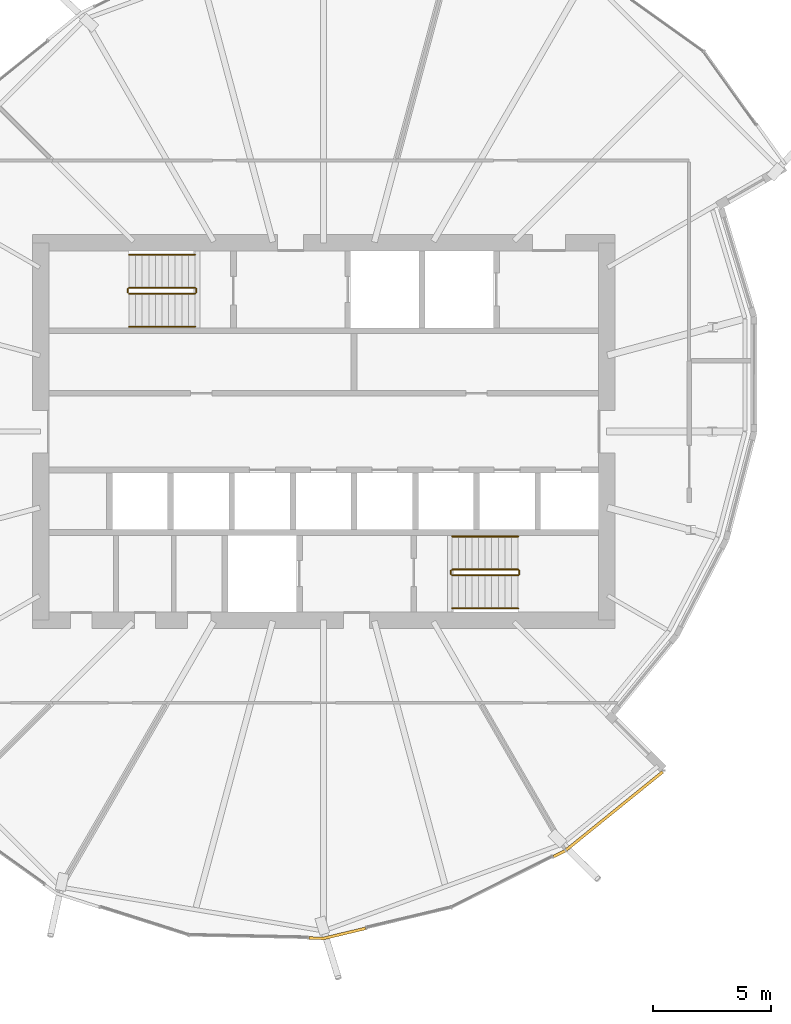
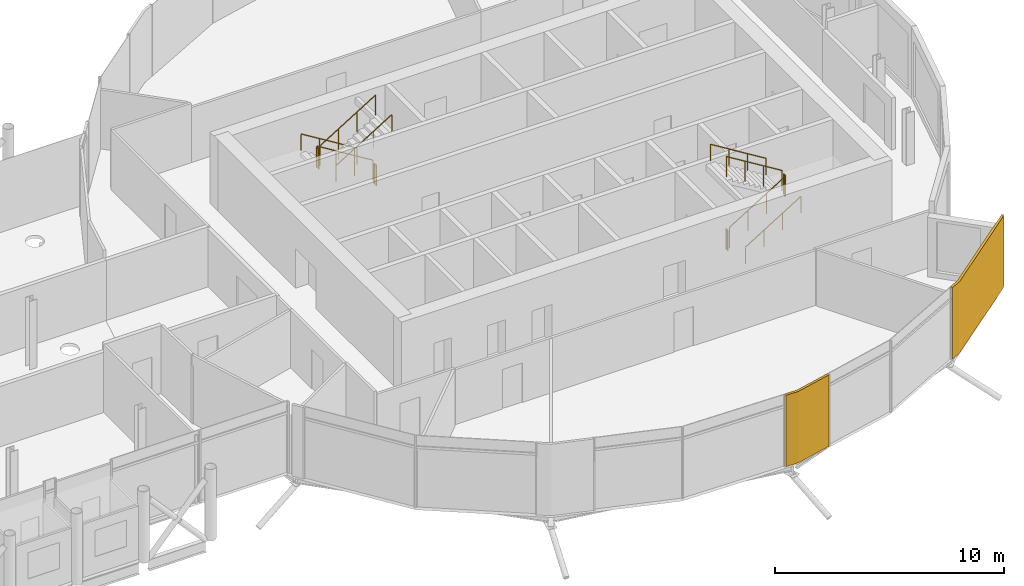
# One storey, part 39 of 40: 12 railings, 2 coverings.
"""IFC4 building model written with IfcOpenShell, lengths in metres."""

from ifc_helpers import new_model, si_unit, direction, frame, origin, origin_2d, place, context, subcontext, project, spatial, polyline, circle, outline, extrude, material, layer, layer_set, type_object, element, save


model = new_model("IFC4")

# Units and contexts
model_context = context("Model", 3, precision=1e-05, world=origin(), true_north=direction((0.0, 1.0)))
body_context = subcontext(model_context, "Body", "Model", "MODEL_VIEW")
ifc_project = project(units=[si_unit("LENGTHUNIT", "METRE"), si_unit("AREAUNIT", "SQUARE_METRE"), si_unit("VOLUMEUNIT", "CUBIC_METRE"), si_unit("PLANEANGLEUNIT", "RADIAN"), si_unit("MASSUNIT", "GRAM", prefix="KILO")], contexts=[model_context])

# Site, building, storey
site_placement = place(None, origin())
site = spatial("IfcSite", under=ifc_project, at=site_placement, CompositionType="ELEMENT")
building_placement = place(site_placement, origin())
building = spatial("IfcBuilding", under=site, at=building_placement, Name="Rimbun Link Towers", CompositionType="ELEMENT")
storey_placement = place(building_placement, frame((0.0, 0.0, 150.60009765625)))
storey = spatial("IfcBuildingStorey", under=building, at=storey_placement, Name="L36", CompositionType="ELEMENT", Elevation=150.60009765625)

# Coverings
ifc_material_1 = material(Name="Terracotta", Category="masonry")
ifc_layer = layer(ifc_material_1, 0.1201171875)
ifc_layer_set = layer_set([ifc_layer], Name="LINK PIER terracotta cladding 120")
covering_type = type_object("IfcCoveringType", Name="LINK PIER terracotta cladding 120", PredefinedType="CLADDING", material=ifc_layer_set)
covering_1_placement = place(storey_placement, origin())
element("IfcCovering", 1, at=covering_1_placement, inside=storey, type_object=covering_type, Name="LINK PIER cladding", PredefinedType="CLADDING", context=body_context, shape_type="SweptSolid", body=[
    extrude(outline(polyline([(33.52001953125, -21.0078125), (31.75, -21.43115234375), (31.130126953125, -21.418212890625), (31.127685546875, -21.5380859375), (31.762939453125, -21.551513671875), (33.548095703125, -21.12451171875), (33.52001953125, -21.0078125)])), origin(), (0.0, 0.0, 1.0), 3.7998046875),
])
covering_2_placement = place(storey_placement, origin())
element("IfcCovering", 2, at=covering_2_placement, inside=storey, type_object=covering_type, Name="LINK PIER cladding", PredefinedType="CLADDING", context=body_context, shape_type="SweptSolid", body=[
    extrude(outline(polyline([(46.092041015625, -14.38427734375), (41.9775390625, -17.714599609375), (41.468017578125, -17.970458984375), (41.52197265625, -18.07763671875), (42.04296875, -17.81591796875), (46.16748046875, -14.4775390625), (46.092041015625, -14.38427734375)])), origin(), (0.0, 0.0, 1.0), 3.7998046875),
])

# Railings
ifc_material_2 = material(Name="Stainless steel grade 316", Category="steel")
railing_type_1 = type_object("IfcRailingType", Name="Stair guard", PredefinedType="GUARDRAIL", material=ifc_material_2)
railing_1_placement = place(storey_placement, frame((26.300048828125, 6.10009765625, 0.172607421875)))
element("IfcRailing", 3, at=railing_1_placement, inside=storey, type_object=railing_type_1, Name="L36 ST3 stair guard 1", PredefinedType="GUARDRAIL", context=body_context, shape_type="SweptSolid", body=[
    extrude(circle(Radius=0.02392578125, at=origin_2d()), frame((0.0, 0.0, 1.076171875), z_axis=(-0.851089632645, 0.0, 0.525020415988), x_axis=(0.0, -1.0, 0.0)), (0.0, 0.0, 1.0), 3.2900390625),
    extrude(circle(Radius=0.02099609375, at=origin_2d()), origin(), (0.0, 0.0, 1.0), 1.052001953125),
    extrude(circle(Radius=0.02099609375, at=origin_2d()), frame((-0.933349609375, 0.0, 0.57568359375)), (0.0, 0.0, 1.0), 1.052001953125),
    extrude(circle(Radius=0.02099609375, at=origin_2d()), frame((-1.86669921875, 0.0, 1.151611328125)), (0.0, 0.0, 1.0), 1.052001953125),
    extrude(circle(Radius=0.02099609375, at=origin_2d()), frame((-2.800048828125, 0.0, 1.727294921875)), (0.0, 0.0, 1.0), 1.052001953125),
])
railing_2_placement = place(storey_placement, frame((23.449951171875, 6.050048828125, 1.89990234375)))
element("IfcRailing", 4, at=railing_2_placement, inside=storey, type_object=railing_type_1, Name="L36 ST3 stair guard 2", PredefinedType="GUARDRAIL", context=body_context, shape_type="SweptSolid", body=[
    extrude(circle(Radius=0.02392578125, at=origin_2d()), frame((0.0, 0.0, 1.076171875), z_axis=(0.0, -1.0, 0.0), x_axis=(1.0, 0.0, 0.0)), (0.0, 0.0, 1.0), 0.150146484375),
    extrude(circle(Radius=0.02099609375, at=origin_2d()), origin(), (0.0, 0.0, 1.0), 1.052001953125),
    extrude(circle(Radius=0.02099609375, at=origin_2d()), frame((0.0, -0.150146484375, 0.0)), (0.0, 0.0, 1.0), 1.052001953125),
])
railing_3_placement = place(storey_placement, frame((23.5, 5.85009765625, 2.072509765625)))
element("IfcRailing", 5, at=railing_3_placement, inside=storey, type_object=railing_type_1, Name="L36 ST3 stair guard 3", PredefinedType="GUARDRAIL", context=body_context, shape_type="SweptSolid", body=[
    extrude(circle(Radius=0.02392578125, at=origin_2d()), frame((0.0, 0.0, 1.076171875), z_axis=(0.851089632645, 0.0, 0.525020415988), x_axis=(0.0, 1.0, 0.0)), (0.0, 0.0, 1.0), 3.2900390625),
    extrude(circle(Radius=0.02099609375, at=origin_2d()), origin(), (0.0, 0.0, 1.0), 1.052001953125),
    extrude(circle(Radius=0.02099609375, at=origin_2d()), frame((0.933349609375, 0.0, 0.57568359375)), (0.0, 0.0, 1.0), 1.052001953125),
    extrude(circle(Radius=0.02099609375, at=origin_2d()), frame((1.86669921875, 0.0, 1.151611328125)), (0.0, 0.0, 1.0), 1.052001953125),
    extrude(circle(Radius=0.02099609375, at=origin_2d()), frame((2.800048828125, 0.0, 1.727294921875)), (0.0, 0.0, 1.0), 1.052001953125),
])
railing_4_placement = place(storey_placement, frame((26.35009765625, 6.050048828125, 0.0)))
element("IfcRailing", 6, at=railing_4_placement, inside=storey, type_object=railing_type_1, Name="L36 ST3 stair guard 4", PredefinedType="GUARDRAIL", context=body_context, shape_type="SweptSolid", body=[
    extrude(circle(Radius=0.02392578125, at=origin_2d()), frame((0.0, 0.0, 1.076171875), z_axis=(0.0, -1.0, 0.0), x_axis=(1.0, 0.0, 0.0)), (0.0, 0.0, 1.0), 0.150146484375),
    extrude(circle(Radius=0.02099609375, at=origin_2d()), origin(), (0.0, 0.0, 1.0), 1.052001953125),
    extrude(circle(Radius=0.02099609375, at=origin_2d()), frame((0.0, -0.150146484375, 0.0)), (0.0, 0.0, 1.0), 1.052001953125),
])
railing_5_placement = place(storey_placement, frame((37.199951171875, -6.10009765625, 0.172607421875)))
element("IfcRailing", 7, at=railing_5_placement, inside=storey, type_object=railing_type_1, Name="L36 ST4 stair guard 1", PredefinedType="GUARDRAIL", context=body_context, shape_type="SweptSolid", body=[
    extrude(circle(Radius=0.02392578125, at=origin_2d()), frame((0.0, 0.0, 1.076171875), z_axis=(0.851089632645, 0.0, 0.525020415988), x_axis=(0.0, 1.0, 0.0)), (0.0, 0.0, 1.0), 3.2900390625),
    extrude(circle(Radius=0.02099609375, at=origin_2d()), origin(), (0.0, 0.0, 1.0), 1.052001953125),
    extrude(circle(Radius=0.02099609375, at=origin_2d()), frame((0.933349609375, 0.0, 0.57568359375)), (0.0, 0.0, 1.0), 1.052001953125),
    extrude(circle(Radius=0.02099609375, at=origin_2d()), frame((1.86669921875, 0.0, 1.151611328125)), (0.0, 0.0, 1.0), 1.052001953125),
    extrude(circle(Radius=0.02099609375, at=origin_2d()), frame((2.800048828125, 0.0, 1.727294921875)), (0.0, 0.0, 1.0), 1.052001953125),
])
railing_6_placement = place(storey_placement, frame((40.050048828125, -6.050048828125, 1.89990234375)))
element("IfcRailing", 8, at=railing_6_placement, inside=storey, type_object=railing_type_1, Name="L36 ST4 stair guard 2", PredefinedType="GUARDRAIL", context=body_context, shape_type="SweptSolid", body=[
    extrude(circle(Radius=0.02392578125, at=origin_2d()), frame((0.0, 0.0, 1.076171875), z_axis=(0.0, 1.0, 0.0), x_axis=(-1.0, 0.0, 0.0)), (0.0, 0.0, 1.0), 0.150146484375),
    extrude(circle(Radius=0.02099609375, at=origin_2d()), origin(), (0.0, 0.0, 1.0), 1.052001953125),
    extrude(circle(Radius=0.02099609375, at=origin_2d()), frame((0.0, 0.150146484375, 0.0)), (0.0, 0.0, 1.0), 1.052001953125),
])
railing_7_placement = place(storey_placement, frame((40.0, -5.85009765625, 2.072509765625)))
element("IfcRailing", 9, at=railing_7_placement, inside=storey, type_object=railing_type_1, Name="L36 ST4 stair guard 3", PredefinedType="GUARDRAIL", context=body_context, shape_type="SweptSolid", body=[
    extrude(circle(Radius=0.02392578125, at=origin_2d()), frame((0.0, 0.0, 1.076171875), z_axis=(-0.851089632645, 0.0, 0.525020415988), x_axis=(0.0, -1.0, 0.0)), (0.0, 0.0, 1.0), 3.2900390625),
    extrude(circle(Radius=0.02099609375, at=origin_2d()), origin(), (0.0, 0.0, 1.0), 1.052001953125),
    extrude(circle(Radius=0.02099609375, at=origin_2d()), frame((-0.933349609375, 0.0, 0.57568359375)), (0.0, 0.0, 1.0), 1.052001953125),
    extrude(circle(Radius=0.02099609375, at=origin_2d()), frame((-1.86669921875, 0.0, 1.151611328125)), (0.0, 0.0, 1.0), 1.052001953125),
    extrude(circle(Radius=0.02099609375, at=origin_2d()), frame((-2.800048828125, 0.0, 1.727294921875)), (0.0, 0.0, 1.0), 1.052001953125),
])
railing_8_placement = place(storey_placement, frame((37.14990234375, -6.050048828125, 0.0)))
element("IfcRailing", 10, at=railing_8_placement, inside=storey, type_object=railing_type_1, Name="L36 ST4 stair guard 4", PredefinedType="GUARDRAIL", context=body_context, shape_type="SweptSolid", body=[
    extrude(circle(Radius=0.02392578125, at=origin_2d()), frame((0.0, 0.0, 1.076171875), z_axis=(0.0, 1.0, 0.0), x_axis=(-1.0, 0.0, 0.0)), (0.0, 0.0, 1.0), 0.150146484375),
    extrude(circle(Radius=0.02099609375, at=origin_2d()), origin(), (0.0, 0.0, 1.0), 1.052001953125),
    extrude(circle(Radius=0.02099609375, at=origin_2d()), frame((0.0, 0.150146484375, 0.0)), (0.0, 0.0, 1.0), 1.052001953125),
])
ifc_material_3 = material(Name="Stainless steel grade 316", Category="steel")
railing_type_2 = type_object("IfcRailingType", Name="Stair handrail", PredefinedType="HANDRAIL", material=ifc_material_3)
railing_9_placement = place(storey_placement, frame((26.300048828125, 7.5, 0.172607421875)))
element("IfcRailing", 11, at=railing_9_placement, inside=storey, type_object=railing_type_2, Name="L36 ST3 stair handrail 1", PredefinedType="HANDRAIL", context=body_context, shape_type="SweptSolid", body=[
    extrude(circle(Radius=0.02392578125, at=origin_2d()), frame((0.0, 0.0, 0.8759765625), z_axis=(-0.851089632645, 0.0, 0.525020415988), x_axis=(0.0, -1.0, 0.0)), (0.0, 0.0, 1.0), 3.2900390625),
    extrude(circle(Radius=0.02099609375, at=origin_2d()), origin(), (0.0, 0.0, 1.0), 0.851806640625),
    extrude(circle(Radius=0.02099609375, at=origin_2d()), frame((-0.933349609375, 0.0, 0.57568359375)), (0.0, 0.0, 1.0), 0.851806640625),
    extrude(circle(Radius=0.02099609375, at=origin_2d()), frame((-1.86669921875, 0.0, 1.151611328125)), (0.0, 0.0, 1.0), 0.851806640625),
    extrude(circle(Radius=0.02099609375, at=origin_2d()), frame((-2.800048828125, 0.0, 1.727294921875)), (0.0, 0.0, 1.0), 0.851806640625),
])
for number, where, name in (
    (12, (23.5, 4.449951171875, 2.072509765625), "L36 ST3 stair handrail 2"),
    (13, (37.199951171875, -7.5, 0.172607421875), "L36 ST4 stair handrail 1"),
):
    element("IfcRailing", number, at=place(storey_placement, frame(where)), inside=storey, type_object=railing_type_2, Name=name, PredefinedType="HANDRAIL", context=body_context, shape_type="SweptSolid", body=[
        extrude(circle(Radius=0.02392578125, at=origin_2d()), frame((0.0, 0.0, 0.8759765625), z_axis=(0.851089632645, 0.0, 0.525020415988), x_axis=(0.0, 1.0, 0.0)), (0.0, 0.0, 1.0), 3.2900390625),
        extrude(circle(Radius=0.02099609375, at=origin_2d()), origin(), (0.0, 0.0, 1.0), 0.851806640625),
        extrude(circle(Radius=0.02099609375, at=origin_2d()), frame((0.933349609375, 0.0, 0.57568359375)), (0.0, 0.0, 1.0), 0.851806640625),
        extrude(circle(Radius=0.02099609375, at=origin_2d()), frame((1.86669921875, 0.0, 1.151611328125)), (0.0, 0.0, 1.0), 0.851806640625),
        extrude(circle(Radius=0.02099609375, at=origin_2d()), frame((2.800048828125, 0.0, 1.727294921875)), (0.0, 0.0, 1.0), 0.851806640625),
    ])
railing_10_placement = place(storey_placement, frame((40.0, -4.449951171875, 2.072509765625)))
element("IfcRailing", 14, at=railing_10_placement, inside=storey, type_object=railing_type_2, Name="L36 ST4 stair handrail 2", PredefinedType="HANDRAIL", context=body_context, shape_type="SweptSolid", body=[
    extrude(circle(Radius=0.02392578125, at=origin_2d()), frame((0.0, 0.0, 0.8759765625), z_axis=(-0.851089632645, 0.0, 0.525020415988), x_axis=(0.0, -1.0, 0.0)), (0.0, 0.0, 1.0), 3.2900390625),
    extrude(circle(Radius=0.02099609375, at=origin_2d()), origin(), (0.0, 0.0, 1.0), 0.851806640625),
    extrude(circle(Radius=0.02099609375, at=origin_2d()), frame((-0.933349609375, 0.0, 0.57568359375)), (0.0, 0.0, 1.0), 0.851806640625),
    extrude(circle(Radius=0.02099609375, at=origin_2d()), frame((-1.86669921875, 0.0, 1.151611328125)), (0.0, 0.0, 1.0), 0.851806640625),
    extrude(circle(Radius=0.02099609375, at=origin_2d()), frame((-2.800048828125, 0.0, 1.727294921875)), (0.0, 0.0, 1.0), 0.851806640625),
])

save(model, "model.ifc")
